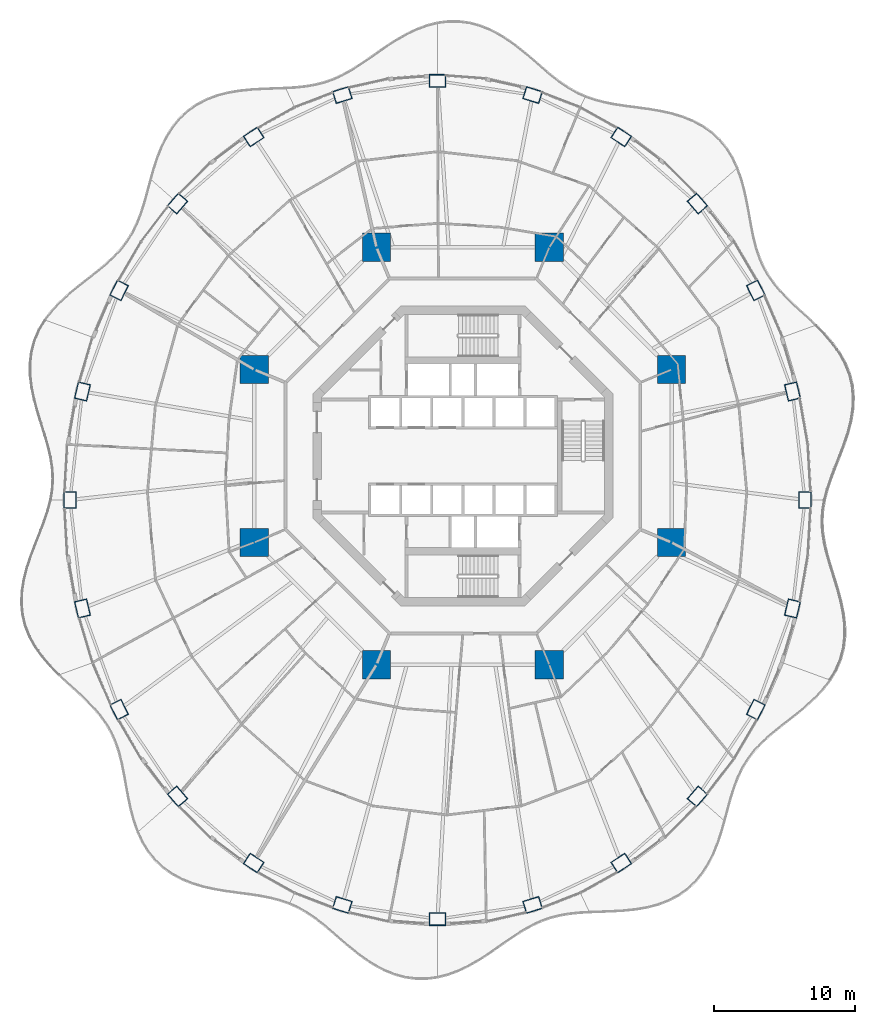
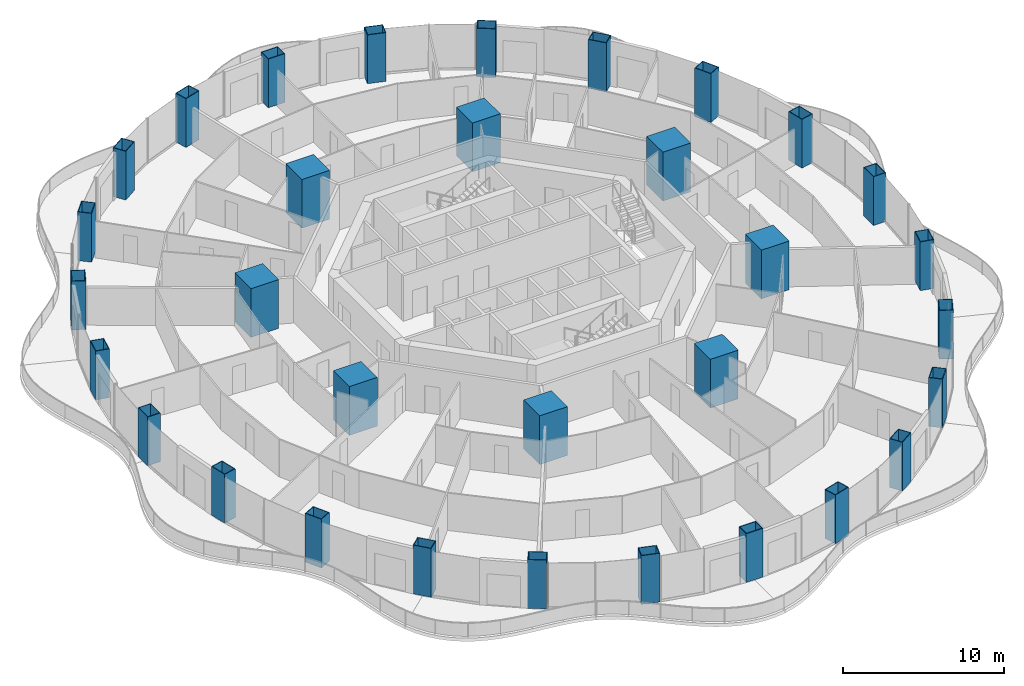
# One storey, part 1 of 21: 32 columns.
"""IFC4 building model written with IfcOpenShell, lengths in metres."""

from ifc_helpers import new_model, si_unit, direction, frame, origin, origin_2d, place, context, subcontext, project, spatial, rectangle, hollow_rectangle, extrude, material, material_profile, profile_set, type_object, element, save


model = new_model("IFC4")

# Units and contexts
model_context = context("Model", 3, precision=1e-05, world=origin(), true_north=direction((0.0, 1.0)))
body_context = subcontext(model_context, "Body", "Model", "MODEL_VIEW")
ifc_project = project(units=[si_unit("LENGTHUNIT", "METRE"), si_unit("AREAUNIT", "SQUARE_METRE"), si_unit("VOLUMEUNIT", "CUBIC_METRE"), si_unit("PLANEANGLEUNIT", "RADIAN"), si_unit("MASSUNIT", "GRAM", prefix="KILO")], contexts=[model_context])

# Site, building, storey
site_placement = place(None, origin())
site = spatial("IfcSite", under=ifc_project, at=site_placement, CompositionType="ELEMENT")
building_placement = place(site_placement, origin())
building = spatial("IfcBuilding", under=site, at=building_placement, Name="Nagisa Residences", CompositionType="ELEMENT")
storey_placement = place(building_placement, frame((0.0, 0.0, 138.10009765625)))
storey = spatial("IfcBuildingStorey", under=building, at=storey_placement, Name="L34", CompositionType="ELEMENT", Elevation=138.10009765625)

# Columns
ifc_material_1 = material(Name="Concrete C80", Category="concrete")
ifc_material_profile_1 = material_profile(ifc_material_1, rectangle(XDim=2.0, YDim=2.0, at=origin_2d()), Name="C80 2000x2000")
ifc_profile_set_1 = profile_set([ifc_material_profile_1], Name="Concrete C80")
column_type_1 = type_object("IfcColumnType", Name="Inner megacolumn C80 2000x2000", PredefinedType="COLUMN", material=ifc_profile_set_1)
for number, where, z_axis, x_axis, name in (
    (1, (14.781982421875, 6.123046875, 0.0), (0.0, 0.0, 1.0), (1.0, 0.0, 0.0), "col:L34:i1"),
    (2, (6.123046875, 14.781982421875, 0.0), (0.0, 0.0, 1.0), (1.0, 0.0, 0.0), "col:L34:i2"),
    (3, (-6.123046875, 14.781982421875, 0.0), (0.0, 0.0, 1.0), (1.0, 0.0, 0.0), "col:L34:i3"),
    (4, (-14.781982421875, 6.123046875, 0.0), (0.0, 0.0, 1.0), (1.0, 0.0, 0.0), "col:L34:i4"),
    (5, (-14.781982421875, -6.123046875, 0.0), (0.0, 0.0, 1.0), (1.0, 0.0, 0.0), "col:L34:i5"),
    (6, (-6.123046875, -14.781982421875, 0.0), (0.0, 0.0, 1.0), (1.0, 0.0, 0.0), "col:L34:i6"),
    (7, (6.123046875, -14.781982421875, 0.0), (0.0, 0.0, 1.0), (1.0, 0.0, 0.0), "col:L34:i7"),
    (8, (14.781982421875, -6.123046875, 0.0), (0.0, 0.0, 1.0), (1.0, 0.0, 0.0), "col:L34:i8"),
):
    element("IfcColumn", number, at=place(storey_placement, frame(where, z_axis=z_axis, x_axis=x_axis)), inside=storey, type_object=column_type_1, Name=name, PredefinedType="COLUMN", context=body_context, shape_type="SweptSolid", body=[
        extrude(rectangle(XDim=2.0, YDim=2.0, at=origin_2d()), origin(), (0.0, 0.0, 1.0), 3.699951171875),
    ])
ifc_material_2 = material(Name="Steel ASTM A572 Gr 50", Category="steel")
ifc_material_profile_2 = material_profile(ifc_material_2, hollow_rectangle(XDim=1.199951171875, YDim=0.89990234375, WallThickness=0.0400390625, at=origin_2d()), Name="BX 1200x900x40")
ifc_profile_set_2 = profile_set([ifc_material_profile_2], Name="Steel ASTM A572 Gr 50")
column_type_2 = type_object("IfcColumnType", Name="Perimeter column BX 1200x900x40", PredefinedType="COLUMN", material=ifc_profile_set_2)
for number, where, z_axis, x_axis, name in (
    (9, (24.235107421875, -3.11767578125, 0.0), (0.0, 0.0, 1.0), (0.0, 1.0, 0.0), "col:L34:p00"),
    (10, (23.347900390625, 4.56787109375, 0.0), (0.0, 0.0, 1.0), (-0.229202013103, 0.973378876486, 0.0), "col:L34:p01"),
    (11, (20.7470703125, 11.729736328125, 0.0), (0.0, 0.0, 1.0), (-0.452462697578, 0.891783329795, 0.0), "col:L34:p02"),
    (12, (16.609619140625, 17.8798828125, 0.0), (0.0, 0.0, 1.0), (-0.660114607735, 0.751164898445, 0.0), "col:L34:p03"),
    (13, (11.217529296875, 22.598876953125, 0.0), (0.0, 0.0, 1.0), (-0.835766105673, 0.54908561865, 0.0), "col:L34:p04"),
    (14, (4.938232421875, 25.5654296875, 0.0), (0.0, 0.0, 1.0), (-0.956524583408, 0.291651712384, 0.0), "col:L34:p05"),
    (15, (-1.800048828125, 26.577392578125, 0.0), (0.0, 0.0, 1.0), (-1.0, 0.0, 0.0), "col:L34:p06"),
    (16, (-8.538330078125, 25.5654296875, 0.0), (0.0, 0.0, 1.0), (-0.956524583408, -0.291651712384, 0.0), "col:L34:p07"),
    (17, (-14.8173828125, 22.598876953125, 0.0), (0.0, 0.0, 1.0), (-0.835766105673, -0.54908561865, 0.0), "col:L34:p08"),
    (18, (-20.20947265625, 17.8798828125, 0.0), (0.0, 0.0, 1.0), (-0.660114607735, -0.751164898445, 0.0), "col:L34:p09"),
    (19, (-24.346923828125, 11.729736328125, 0.0), (0.0, 0.0, 1.0), (-0.452462697578, -0.891783329795, 0.0), "col:L34:p10"),
    (20, (-26.947998046875, 4.56787109375, 0.0), (0.0, 0.0, 1.0), (-0.229202013103, -0.973378876486, 0.0), "col:L34:p11"),
    (21, (-27.8349609375, -3.11767578125, 0.0), (0.0, 0.0, 1.0), (0.0, -1.0, 0.0), "col:L34:p12"),
    (22, (-26.947998046875, -10.80322265625, 0.0), (0.0, 0.0, 1.0), (0.229202013103, -0.973378876486, 0.0), "col:L34:p13"),
    (23, (-24.346923828125, -17.965087890625, 0.0), (0.0, 0.0, 1.0), (0.452462697578, -0.891783329795, 0.0), "col:L34:p14"),
    (24, (-20.20947265625, -24.115234375, 0.0), (0.0, 0.0, 1.0), (0.660114607735, -0.751164898445, 0.0), "col:L34:p15"),
    (25, (-14.8173828125, -28.834228515625, 0.0), (0.0, 0.0, 1.0), (0.835766105673, -0.54908561865, 0.0), "col:L34:p16"),
    (26, (-8.538330078125, -31.80078125, 0.0), (0.0, 0.0, 1.0), (0.956524583408, -0.291651712384, 0.0), "col:L34:p17"),
    (27, (-1.800048828125, -32.812744140625, 0.0), (0.0, 0.0, 1.0), (1.0, 0.0, 0.0), "col:L34:p18"),
    (28, (4.938232421875, -31.80078125, 0.0), (0.0, 0.0, 1.0), (0.956524583408, 0.291651712384, 0.0), "col:L34:p19"),
    (29, (11.217529296875, -28.834228515625, 0.0), (0.0, 0.0, 1.0), (0.835766105673, 0.54908561865, 0.0), "col:L34:p20"),
    (30, (16.609619140625, -24.115234375, 0.0), (0.0, 0.0, 1.0), (0.660114607735, 0.751164898445, 0.0), "col:L34:p21"),
    (31, (20.7470703125, -17.965087890625, 0.0), (0.0, 0.0, 1.0), (0.452462697578, 0.891783329795, 0.0), "col:L34:p22"),
    (32, (23.347900390625, -10.80322265625, 0.0), (0.0, 0.0, 1.0), (0.229202013103, 0.973378876486, 0.0), "col:L34:p23"),
):
    element("IfcColumn", number, at=place(storey_placement, frame(where, z_axis=z_axis, x_axis=x_axis)), inside=storey, type_object=column_type_2, Name=name, PredefinedType="COLUMN", context=body_context, shape_type="SweptSolid", body=[
        extrude(hollow_rectangle(XDim=1.199951171875, YDim=0.89990234375, WallThickness=0.0400390625, at=origin_2d()), origin(), (0.0, 0.0, 1.0), 3.699951171875),
    ])

save(model, "model.ifc")
